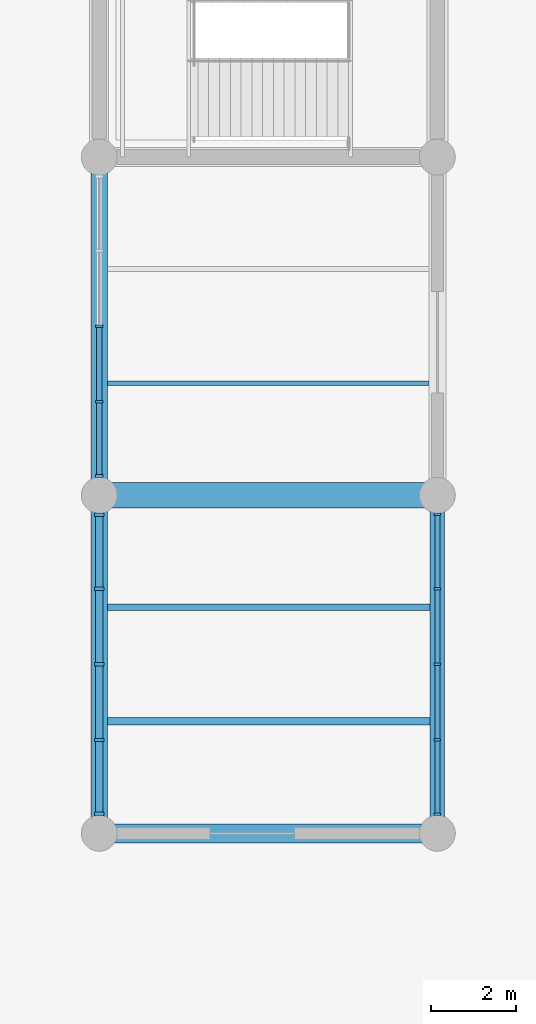
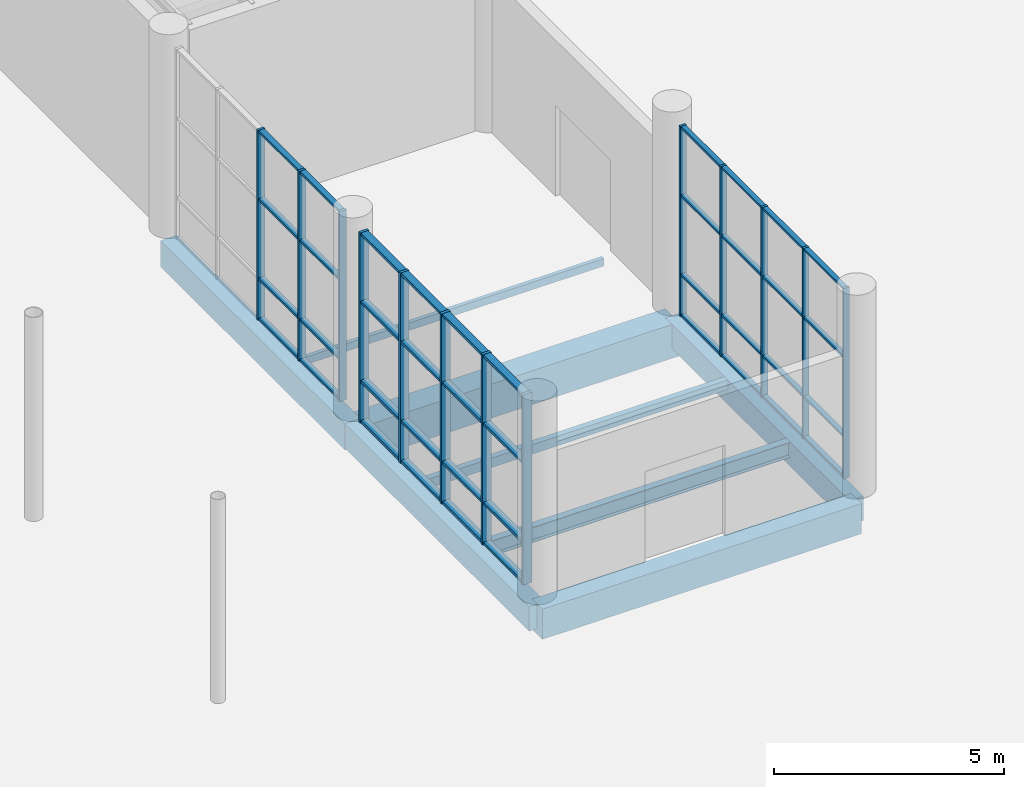
# One storey, part 28 of 123: 53 members, 8 beams, 3 elements without a shape of their own.
"""IFC4 building model written with IfcOpenShell, lengths in metres."""

from ifc_helpers import new_model, si_unit, direction, frame, origin, origin_2d, place, context, subcontext, project, spatial, rectangle, hollow_rectangle, i_section, extrude, material, material_profile, profile_set, type_object, element, aggregate, save


model = new_model("IFC4")

# Units and contexts
model_context = context("Model", 3, precision=1e-05, world=origin(), true_north=direction((0.0, 1.0)))
body_context = subcontext(model_context, "Body", "Model", "MODEL_VIEW")
ifc_project = project(units=[si_unit("LENGTHUNIT", "METRE"), si_unit("AREAUNIT", "SQUARE_METRE"), si_unit("VOLUMEUNIT", "CUBIC_METRE"), si_unit("PLANEANGLEUNIT", "RADIAN"), si_unit("MASSUNIT", "GRAM", prefix="KILO")], contexts=[model_context])

# Site, building, storey
site_placement = place(None, origin())
site = spatial("IfcSite", under=ifc_project, at=site_placement, CompositionType="ELEMENT")
building_placement = place(site_placement, origin())
building = spatial("IfcBuilding", under=site, at=building_placement, Name="Tenunan Teduh Sports Hall", CompositionType="ELEMENT")
storey_placement = place(building_placement, origin())
storey = spatial("IfcBuildingStorey", under=building, at=storey_placement, Name="L00", CompositionType="ELEMENT", Elevation=0.0)

# Beams
ifc_material_1 = material(Name="Concrete C40/50", Category="concrete")
ifc_material_profile_1 = material_profile(ifc_material_1, rectangle(XDim=0.35009765625, YDim=0.64990234375, at=origin_2d()), Name="RCB 350x650")
ifc_profile_set_1 = profile_set([ifc_material_profile_1], Name="Concrete C40/50")
beam_type_1 = type_object("IfcBeamType", Name="BM-RC-350x650", PredefinedType="BEAM", material=ifc_profile_set_1)
beam_1_placement = place(storey_placement, frame((78.0, 38.0, -0.60498046875), z_axis=(0.0, 1.0, 0.0), x_axis=(-1.0, 0.0, 0.0)))
element("IfcBeam", 1, at=beam_1_placement, inside=storey, type_object=beam_type_1, Name="BM-B-05-L00-0821", PredefinedType="BEAM", context=body_context, shape_type="SweptSolid", body=[
    extrude(rectangle(XDim=0.35009765625, YDim=0.64990234375, at=origin_2d()), origin(), (0.0, 0.0, 1.0), 8.0),
])
ifc_material_2 = material(Name="Concrete C40/50", Category="concrete")
ifc_material_profile_2 = material_profile(ifc_material_2, rectangle(XDim=0.39990234375, YDim=0.64990234375, at=origin_2d()), Name="RCB 400x650")
ifc_profile_set_2 = profile_set([ifc_material_profile_2], Name="Concrete C40/50")
beam_type_2 = type_object("IfcBeamType", Name="BM-RC-400x650", PredefinedType="BEAM", material=ifc_profile_set_2)
beam_2_placement = place(storey_placement, frame((70.0, 38.0, -0.60498046875), z_axis=(0.0, 1.0, 0.0), x_axis=(-1.0, 0.0, 0.0)))
element("IfcBeam", 2, at=beam_2_placement, inside=storey, type_object=beam_type_2, Name="BM-B-07-L00-0813", PredefinedType="BEAM", context=body_context, shape_type="SweptSolid", body=[
    extrude(rectangle(XDim=0.39990234375, YDim=0.64990234375, at=origin_2d()), origin(), (0.0, 0.0, 1.0), 8.0),
])
ifc_material_3 = material(Name="Concrete C40/50", Category="concrete")
ifc_material_profile_3 = material_profile(ifc_material_3, rectangle(XDim=0.39990234375, YDim=0.699951171875, at=origin_2d()), Name="RCB 400x700")
ifc_profile_set_3 = profile_set([ifc_material_profile_3], Name="Concrete C40/50")
beam_type_3 = type_object("IfcBeamType", Name="BM-RC-400x700", PredefinedType="BEAM", material=ifc_profile_set_3)
beam_3_placement = place(storey_placement, frame((70.0, 46.0, -0.6298828125), z_axis=(0.0, 1.0, 0.0), x_axis=(-1.0, 0.0, 0.0)))
element("IfcBeam", 3, at=beam_3_placement, inside=storey, type_object=beam_type_3, Name="BM-B-08-L00-0814", PredefinedType="BEAM", context=body_context, shape_type="SweptSolid", body=[
    extrude(rectangle(XDim=0.39990234375, YDim=0.699951171875, at=origin_2d()), origin(), (0.0, 0.0, 1.0), 8.0),
])
ifc_material_4 = material(Name="Concrete C40/50", Category="concrete")
ifc_material_profile_4 = material_profile(ifc_material_4, rectangle(XDim=0.449951171875, YDim=0.800048828125, at=origin_2d()), Name="RCB 450x800")
ifc_profile_set_4 = profile_set([ifc_material_profile_4], Name="Concrete C40/50")
beam_type_4 = type_object("IfcBeamType", Name="BM-RC-450x800", PredefinedType="BEAM", material=ifc_profile_set_4)
beam_4_placement = place(storey_placement, frame((70.0, 38.0, -0.679931640625), z_axis=(1.0, 0.0, 0.0), x_axis=(0.0, 1.0, 0.0)))
element("IfcBeam", 4, at=beam_4_placement, inside=storey, type_object=beam_type_4, Name="BM-B-12-L00-0643", PredefinedType="BEAM", context=body_context, shape_type="SweptSolid", body=[
    extrude(rectangle(XDim=0.449951171875, YDim=0.800048828125, at=origin_2d()), origin(), (0.0, 0.0, 1.0), 8.0),
])
ifc_material_5 = material(Name="Concrete C40/50", Category="concrete")
ifc_material_profile_5 = material_profile(ifc_material_5, rectangle(XDim=0.60009765625, YDim=0.89990234375, at=origin_2d()), Name="RCB 600x900")
ifc_profile_set_5 = profile_set([ifc_material_profile_5], Name="Concrete C40/50")
beam_type_5 = type_object("IfcBeamType", Name="BM-RC-600x900", PredefinedType="BEAM", material=ifc_profile_set_5)
beam_5_placement = place(storey_placement, frame((70.0, 46.0, -0.72998046875), z_axis=(1.0, 0.0, 0.0), x_axis=(0.0, 1.0, 0.0)))
element("IfcBeam", 5, at=beam_5_placement, inside=storey, type_object=beam_type_5, Name="BM-B-17-L00-0657", PredefinedType="BEAM", context=body_context, shape_type="SweptSolid", body=[
    extrude(rectangle(XDim=0.60009765625, YDim=0.89990234375, at=origin_2d()), origin(), (0.0, 0.0, 1.0), 8.0),
])

# Curtain wall, members
ifc_material_6 = material(Name="Anodised aluminium", Category="aluminium")
curtain_wall_type = type_object("IfcCurtainWallType", Name="CW-UNIT-1", PredefinedType="NOTDEFINED", material=ifc_material_6)
curtain_wall_1_placement = place(storey_placement, origin())
curtain_wall_1 = element("IfcCurtainWall", 6, at=curtain_wall_1_placement, inside=storey, type_object=curtain_wall_type, Name="CW-CWM-150-L00-155", PredefinedType="NOTDEFINED")
ifc_material_7 = material(Name="Anodised aluminium", Category="aluminium")
ifc_material_profile_6 = material_profile(ifc_material_7, rectangle(XDim=0.06005859375, YDim=0.14990234375, at=origin_2d()), Name="CWM 60x150")
ifc_profile_set_6 = profile_set([ifc_material_profile_6], Name="Anodised aluminium")
member_type_1 = type_object("IfcMemberType", Name="CWM-150", PredefinedType="MULLION", material=ifc_profile_set_6)
member_1_placement = place(storey_placement, frame((78.0, 38.455078125, 0.0), z_axis=(0.0, 0.0, 1.0), x_axis=(0.0, 1.0, 0.0)))
member_1 = element("IfcMember", 7, at=member_1_placement, type_object=member_type_1, Name="CW-01 mullion 1", PredefinedType="MULLION", context=body_context, shape_type="SweptSolid", body=[
    extrude(rectangle(XDim=0.06005859375, YDim=0.14990234375, at=origin_2d()), origin(), (0.0, 0.0, 1.0), 5.0400390625),
])
member_2_placement = place(storey_placement, frame((78.0, 40.21240234375, 0.0), z_axis=(0.0, 0.0, 1.0), x_axis=(0.0, 1.0, 0.0)))
member_2 = element("IfcMember", 8, at=member_2_placement, type_object=member_type_1, Name="CW-01 mullion 2", PredefinedType="MULLION", context=body_context, shape_type="SweptSolid", body=[
    extrude(rectangle(XDim=0.06005859375, YDim=0.14990234375, at=origin_2d()), origin(), (0.0, 0.0, 1.0), 5.0400390625),
])
member_3_placement = place(storey_placement, frame((78.0, 42.0, 0.0), z_axis=(0.0, 0.0, 1.0), x_axis=(0.0, 1.0, 0.0)))
member_3 = element("IfcMember", 9, at=member_3_placement, type_object=member_type_1, Name="CW-01 mullion 3", PredefinedType="MULLION", context=body_context, shape_type="SweptSolid", body=[
    extrude(rectangle(XDim=0.06005859375, YDim=0.14990234375, at=origin_2d()), origin(), (0.0, 0.0, 1.0), 5.0400390625),
])
member_4_placement = place(storey_placement, frame((78.0, 43.78759765625, 0.0), z_axis=(0.0, 0.0, 1.0), x_axis=(0.0, 1.0, 0.0)))
member_4 = element("IfcMember", 10, at=member_4_placement, type_object=member_type_1, Name="CW-01 mullion 4", PredefinedType="MULLION", context=body_context, shape_type="SweptSolid", body=[
    extrude(rectangle(XDim=0.06005859375, YDim=0.14990234375, at=origin_2d()), origin(), (0.0, 0.0, 1.0), 5.0400390625),
])
member_5_placement = place(storey_placement, frame((78.0, 45.544921875, 0.0), z_axis=(0.0, 0.0, 1.0), x_axis=(0.0, 1.0, 0.0)))
member_5 = element("IfcMember", 11, at=member_5_placement, type_object=member_type_1, Name="CW-01 mullion 5", PredefinedType="MULLION", context=body_context, shape_type="SweptSolid", body=[
    extrude(rectangle(XDim=0.06005859375, YDim=0.14990234375, at=origin_2d()), origin(), (0.0, 0.0, 1.0), 5.0400390625),
])

curtain_wall_2_placement = place(storey_placement, origin())
curtain_wall_2 = element("IfcCurtainWall", 12, at=curtain_wall_2_placement, inside=storey, type_object=curtain_wall_type, Name="CW-CWM-175-L00-154", PredefinedType="NOTDEFINED")
ifc_material_8 = material(Name="Anodised aluminium", Category="aluminium")
ifc_material_profile_7 = material_profile(ifc_material_8, rectangle(XDim=0.06494140625, YDim=0.175048828125, at=origin_2d()), Name="CWM 65x175")
ifc_profile_set_7 = profile_set([ifc_material_profile_7], Name="Anodised aluminium")
member_type_2 = type_object("IfcMemberType", Name="CWM-175", PredefinedType="MULLION", material=ifc_profile_set_7)
member_6_placement = place(storey_placement, frame((70.0, 46.45751953125, 0.0), z_axis=(0.0, 0.0, 1.0), x_axis=(0.0, 1.0, 0.0)))
member_6 = element("IfcMember", 13, at=member_6_placement, type_object=member_type_2, Name="CW-01 mullion 1", PredefinedType="MULLION", context=body_context, shape_type="SweptSolid", body=[
    extrude(rectangle(XDim=0.06494140625, YDim=0.175048828125, at=origin_2d()), origin(), (0.0, 0.0, 1.0), 5.0400390625),
])
member_7_placement = place(storey_placement, frame((70.0, 48.21240234375, 0.0), z_axis=(0.0, 0.0, 1.0), x_axis=(0.0, 1.0, 0.0)))
member_7 = element("IfcMember", 14, at=member_7_placement, type_object=member_type_2, Name="CW-01 mullion 2", PredefinedType="MULLION", context=body_context, shape_type="SweptSolid", body=[
    extrude(rectangle(XDim=0.06494140625, YDim=0.175048828125, at=origin_2d()), origin(), (0.0, 0.0, 1.0), 5.0400390625),
])
member_8_placement = place(storey_placement, frame((70.0, 50.0, 0.0), z_axis=(0.0, 0.0, 1.0), x_axis=(0.0, 1.0, 0.0)))
member_8 = element("IfcMember", 15, at=member_8_placement, type_object=member_type_2, Name="CW-01 mullion 3", PredefinedType="MULLION", context=body_context, shape_type="SweptSolid", body=[
    extrude(rectangle(XDim=0.06494140625, YDim=0.175048828125, at=origin_2d()), origin(), (0.0, 0.0, 1.0), 5.0400390625),
])

curtain_wall_3_placement = place(storey_placement, origin())
curtain_wall_3 = element("IfcCurtainWall", 16, at=curtain_wall_3_placement, inside=storey, type_object=curtain_wall_type, Name="CW-CWM-220-L00-153", PredefinedType="NOTDEFINED")
ifc_material_9 = material(Name="Anodised aluminium", Category="aluminium")
ifc_material_profile_8 = material_profile(ifc_material_9, rectangle(XDim=0.074951171875, YDim=0.219970703125, at=origin_2d()), Name="CWM 75x220")
ifc_profile_set_8 = profile_set([ifc_material_profile_8], Name="Anodised aluminium")
member_type_3 = type_object("IfcMemberType", Name="CWM-220", PredefinedType="MULLION", material=ifc_profile_set_8)
member_9_placement = place(storey_placement, frame((70.0, 38.46240234375, 0.0), z_axis=(0.0, 0.0, 1.0), x_axis=(0.0, 1.0, 0.0)))
member_9 = element("IfcMember", 17, at=member_9_placement, type_object=member_type_3, Name="CW-01 mullion 1", PredefinedType="MULLION", context=body_context, shape_type="SweptSolid", body=[
    extrude(rectangle(XDim=0.074951171875, YDim=0.219970703125, at=origin_2d()), origin(), (0.0, 0.0, 1.0), 5.0400390625),
])
member_10_placement = place(storey_placement, frame((70.0, 40.21240234375, 0.0), z_axis=(0.0, 0.0, 1.0), x_axis=(0.0, 1.0, 0.0)))
member_10 = element("IfcMember", 18, at=member_10_placement, type_object=member_type_3, Name="CW-01 mullion 2", PredefinedType="MULLION", context=body_context, shape_type="SweptSolid", body=[
    extrude(rectangle(XDim=0.074951171875, YDim=0.219970703125, at=origin_2d()), origin(), (0.0, 0.0, 1.0), 5.0400390625),
])
member_11_placement = place(storey_placement, frame((70.0, 42.0, 0.0), z_axis=(0.0, 0.0, 1.0), x_axis=(0.0, 1.0, 0.0)))
member_11 = element("IfcMember", 19, at=member_11_placement, type_object=member_type_3, Name="CW-01 mullion 3", PredefinedType="MULLION", context=body_context, shape_type="SweptSolid", body=[
    extrude(rectangle(XDim=0.074951171875, YDim=0.219970703125, at=origin_2d()), origin(), (0.0, 0.0, 1.0), 5.0400390625),
])
member_12_placement = place(storey_placement, frame((70.0, 43.78759765625, 0.0), z_axis=(0.0, 0.0, 1.0), x_axis=(0.0, 1.0, 0.0)))
member_12 = element("IfcMember", 20, at=member_12_placement, type_object=member_type_3, Name="CW-01 mullion 4", PredefinedType="MULLION", context=body_context, shape_type="SweptSolid", body=[
    extrude(rectangle(XDim=0.074951171875, YDim=0.219970703125, at=origin_2d()), origin(), (0.0, 0.0, 1.0), 5.0400390625),
])
member_13_placement = place(storey_placement, frame((70.0, 45.53759765625, 0.0), z_axis=(0.0, 0.0, 1.0), x_axis=(0.0, 1.0, 0.0)))
member_13 = element("IfcMember", 21, at=member_13_placement, type_object=member_type_3, Name="CW-01 mullion 5", PredefinedType="MULLION", context=body_context, shape_type="SweptSolid", body=[
    extrude(rectangle(XDim=0.074951171875, YDim=0.219970703125, at=origin_2d()), origin(), (0.0, 0.0, 1.0), 5.0400390625),
])

# Member
ifc_material_10 = material(Name="Anodised aluminium", Category="aluminium")
ifc_material_profile_9 = material_profile(ifc_material_10, rectangle(XDim=0.06005859375, YDim=0.1201171875, at=origin_2d()), Name="CWT 60x120")
ifc_profile_set_9 = profile_set([ifc_material_profile_9], Name="Anodised aluminium")
member_type_4 = type_object("IfcMemberType", Name="CWT-125", PredefinedType="USERDEFINED", material=ifc_profile_set_9)
member_14_placement = place(storey_placement, frame((78.0, 38.485107421875, 0.030029296875), z_axis=(0.0, 1.0, 0.0), x_axis=(0.0, 0.0, 1.0)))
member_14 = element("IfcMember", 22, at=member_14_placement, type_object=member_type_4, Name="CW-01 transom 1.1", ObjectType="TRANSOM", PredefinedType="USERDEFINED", context=body_context, shape_type="SweptSolid", body=[
    extrude(rectangle(XDim=0.06005859375, YDim=0.1201171875, at=origin_2d()), origin(), (0.0, 0.0, 1.0), 1.697509765625),
])

member_15_placement = place(storey_placement, frame((78.0, 38.485107421875, 1.10009765625), z_axis=(0.0, 1.0, 0.0), x_axis=(0.0, 0.0, 1.0)))
member_15 = element("IfcMember", 23, at=member_15_placement, type_object=member_type_4, Name="CW-01 transom 1.2", ObjectType="TRANSOM", PredefinedType="USERDEFINED", context=body_context, shape_type="SweptSolid", body=[
    extrude(rectangle(XDim=0.06005859375, YDim=0.1201171875, at=origin_2d()), origin(), (0.0, 0.0, 1.0), 1.697509765625),
])

member_16_placement = place(storey_placement, frame((78.0, 38.485107421875, 3.199951171875), z_axis=(0.0, 1.0, 0.0), x_axis=(0.0, 0.0, 1.0)))
member_16 = element("IfcMember", 24, at=member_16_placement, type_object=member_type_4, Name="CW-01 transom 1.3", ObjectType="TRANSOM", PredefinedType="USERDEFINED", context=body_context, shape_type="SweptSolid", body=[
    extrude(rectangle(XDim=0.06005859375, YDim=0.1201171875, at=origin_2d()), origin(), (0.0, 0.0, 1.0), 1.697509765625),
])

member_17_placement = place(storey_placement, frame((78.0, 38.485107421875, 5.010009765625), z_axis=(0.0, 1.0, 0.0), x_axis=(0.0, 0.0, 1.0)))
member_17 = element("IfcMember", 25, at=member_17_placement, type_object=member_type_4, Name="CW-01 transom 1.4", ObjectType="TRANSOM", PredefinedType="USERDEFINED", context=body_context, shape_type="SweptSolid", body=[
    extrude(rectangle(XDim=0.06005859375, YDim=0.1201171875, at=origin_2d()), origin(), (0.0, 0.0, 1.0), 1.697509765625),
])

member_18_placement = place(storey_placement, frame((78.0, 40.242431640625, 0.030029296875), z_axis=(0.0, 1.0, 0.0), x_axis=(0.0, 0.0, 1.0)))
member_18 = element("IfcMember", 26, at=member_18_placement, type_object=member_type_4, Name="CW-01 transom 2.1", ObjectType="TRANSOM", PredefinedType="USERDEFINED", context=body_context, shape_type="SweptSolid", body=[
    extrude(rectangle(XDim=0.06005859375, YDim=0.1201171875, at=origin_2d()), origin(), (0.0, 0.0, 1.0), 1.7275390625),
])

member_19_placement = place(storey_placement, frame((78.0, 40.242431640625, 1.10009765625), z_axis=(0.0, 1.0, 0.0), x_axis=(0.0, 0.0, 1.0)))
member_19 = element("IfcMember", 27, at=member_19_placement, type_object=member_type_4, Name="CW-01 transom 2.2", ObjectType="TRANSOM", PredefinedType="USERDEFINED", context=body_context, shape_type="SweptSolid", body=[
    extrude(rectangle(XDim=0.06005859375, YDim=0.1201171875, at=origin_2d()), origin(), (0.0, 0.0, 1.0), 1.7275390625),
])

member_20_placement = place(storey_placement, frame((78.0, 40.242431640625, 3.199951171875), z_axis=(0.0, 1.0, 0.0), x_axis=(0.0, 0.0, 1.0)))
member_20 = element("IfcMember", 28, at=member_20_placement, type_object=member_type_4, Name="CW-01 transom 2.3", ObjectType="TRANSOM", PredefinedType="USERDEFINED", context=body_context, shape_type="SweptSolid", body=[
    extrude(rectangle(XDim=0.06005859375, YDim=0.1201171875, at=origin_2d()), origin(), (0.0, 0.0, 1.0), 1.7275390625),
])

member_21_placement = place(storey_placement, frame((78.0, 40.242431640625, 5.010009765625), z_axis=(0.0, 1.0, 0.0), x_axis=(0.0, 0.0, 1.0)))
member_21 = element("IfcMember", 29, at=member_21_placement, type_object=member_type_4, Name="CW-01 transom 2.4", ObjectType="TRANSOM", PredefinedType="USERDEFINED", context=body_context, shape_type="SweptSolid", body=[
    extrude(rectangle(XDim=0.06005859375, YDim=0.1201171875, at=origin_2d()), origin(), (0.0, 0.0, 1.0), 1.7275390625),
])

member_22_placement = place(storey_placement, frame((78.0, 42.030029296875, 0.030029296875), z_axis=(0.0, 1.0, 0.0), x_axis=(0.0, 0.0, 1.0)))
member_22 = element("IfcMember", 30, at=member_22_placement, type_object=member_type_4, Name="CW-01 transom 3.1", ObjectType="TRANSOM", PredefinedType="USERDEFINED", context=body_context, shape_type="SweptSolid", body=[
    extrude(rectangle(XDim=0.06005859375, YDim=0.1201171875, at=origin_2d()), origin(), (0.0, 0.0, 1.0), 1.7275390625),
])

member_23_placement = place(storey_placement, frame((78.0, 42.030029296875, 1.10009765625), z_axis=(0.0, 1.0, 0.0), x_axis=(0.0, 0.0, 1.0)))
member_23 = element("IfcMember", 31, at=member_23_placement, type_object=member_type_4, Name="CW-01 transom 3.2", ObjectType="TRANSOM", PredefinedType="USERDEFINED", context=body_context, shape_type="SweptSolid", body=[
    extrude(rectangle(XDim=0.06005859375, YDim=0.1201171875, at=origin_2d()), origin(), (0.0, 0.0, 1.0), 1.7275390625),
])

member_24_placement = place(storey_placement, frame((78.0, 42.030029296875, 3.199951171875), z_axis=(0.0, 1.0, 0.0), x_axis=(0.0, 0.0, 1.0)))
member_24 = element("IfcMember", 32, at=member_24_placement, type_object=member_type_4, Name="CW-01 transom 3.3", ObjectType="TRANSOM", PredefinedType="USERDEFINED", context=body_context, shape_type="SweptSolid", body=[
    extrude(rectangle(XDim=0.06005859375, YDim=0.1201171875, at=origin_2d()), origin(), (0.0, 0.0, 1.0), 1.7275390625),
])

member_25_placement = place(storey_placement, frame((78.0, 42.030029296875, 5.010009765625), z_axis=(0.0, 1.0, 0.0), x_axis=(0.0, 0.0, 1.0)))
member_25 = element("IfcMember", 33, at=member_25_placement, type_object=member_type_4, Name="CW-01 transom 3.4", ObjectType="TRANSOM", PredefinedType="USERDEFINED", context=body_context, shape_type="SweptSolid", body=[
    extrude(rectangle(XDim=0.06005859375, YDim=0.1201171875, at=origin_2d()), origin(), (0.0, 0.0, 1.0), 1.7275390625),
])

member_26_placement = place(storey_placement, frame((78.0, 43.8173828125, 0.030029296875), z_axis=(0.0, 1.0, 0.0), x_axis=(0.0, 0.0, 1.0)))
member_26 = element("IfcMember", 34, at=member_26_placement, type_object=member_type_4, Name="CW-01 transom 4.1", ObjectType="TRANSOM", PredefinedType="USERDEFINED", context=body_context, shape_type="SweptSolid", body=[
    extrude(rectangle(XDim=0.06005859375, YDim=0.1201171875, at=origin_2d()), origin(), (0.0, 0.0, 1.0), 1.697509765625),
])

member_27_placement = place(storey_placement, frame((78.0, 43.8173828125, 1.10009765625), z_axis=(0.0, 1.0, 0.0), x_axis=(0.0, 0.0, 1.0)))
member_27 = element("IfcMember", 35, at=member_27_placement, type_object=member_type_4, Name="CW-01 transom 4.2", ObjectType="TRANSOM", PredefinedType="USERDEFINED", context=body_context, shape_type="SweptSolid", body=[
    extrude(rectangle(XDim=0.06005859375, YDim=0.1201171875, at=origin_2d()), origin(), (0.0, 0.0, 1.0), 1.697509765625),
])

member_28_placement = place(storey_placement, frame((78.0, 43.8173828125, 3.199951171875), z_axis=(0.0, 1.0, 0.0), x_axis=(0.0, 0.0, 1.0)))
member_28 = element("IfcMember", 36, at=member_28_placement, type_object=member_type_4, Name="CW-01 transom 4.3", ObjectType="TRANSOM", PredefinedType="USERDEFINED", context=body_context, shape_type="SweptSolid", body=[
    extrude(rectangle(XDim=0.06005859375, YDim=0.1201171875, at=origin_2d()), origin(), (0.0, 0.0, 1.0), 1.697509765625),
])

member_29_placement = place(storey_placement, frame((78.0, 43.8173828125, 5.010009765625), z_axis=(0.0, 1.0, 0.0), x_axis=(0.0, 0.0, 1.0)))
member_29 = element("IfcMember", 37, at=member_29_placement, type_object=member_type_4, Name="CW-01 transom 4.4", ObjectType="TRANSOM", PredefinedType="USERDEFINED", context=body_context, shape_type="SweptSolid", body=[
    extrude(rectangle(XDim=0.06005859375, YDim=0.1201171875, at=origin_2d()), origin(), (0.0, 0.0, 1.0), 1.697509765625),
])

aggregate(curtain_wall_1, [member_1, member_2, member_3, member_4, member_5, member_14, member_15, member_16, member_17, member_18, member_19, member_20, member_21, member_22, member_23, member_24, member_25, member_26, member_27, member_28, member_29])

ifc_material_11 = material(Name="Anodised aluminium", Category="aluminium")
ifc_material_profile_10 = material_profile(ifc_material_11, rectangle(XDim=0.06494140625, YDim=0.139892578125, at=origin_2d()), Name="CWT 65x140")
ifc_profile_set_10 = profile_set([ifc_material_profile_10], Name="Anodised aluminium")
member_type_5 = type_object("IfcMemberType", Name="CWT-150", PredefinedType="USERDEFINED", material=ifc_profile_set_10)
member_30_placement = place(storey_placement, frame((70.0, 46.489990234375, 0.032470703125), z_axis=(0.0, 1.0, 0.0), x_axis=(0.0, 0.0, 1.0)))
member_30 = element("IfcMember", 38, at=member_30_placement, type_object=member_type_5, Name="CW-01 transom 1.1", ObjectType="TRANSOM", PredefinedType="USERDEFINED", context=body_context, shape_type="SweptSolid", body=[
    extrude(rectangle(XDim=0.06494140625, YDim=0.139892578125, at=origin_2d()), origin(), (0.0, 0.0, 1.0), 1.68994140625),
])

member_31_placement = place(storey_placement, frame((70.0, 46.489990234375, 1.10009765625), z_axis=(0.0, 1.0, 0.0), x_axis=(0.0, 0.0, 1.0)))
member_31 = element("IfcMember", 39, at=member_31_placement, type_object=member_type_5, Name="CW-01 transom 1.2", ObjectType="TRANSOM", PredefinedType="USERDEFINED", context=body_context, shape_type="SweptSolid", body=[
    extrude(rectangle(XDim=0.06494140625, YDim=0.139892578125, at=origin_2d()), origin(), (0.0, 0.0, 1.0), 1.68994140625),
])

member_32_placement = place(storey_placement, frame((70.0, 46.489990234375, 3.199951171875), z_axis=(0.0, 1.0, 0.0), x_axis=(0.0, 0.0, 1.0)))
member_32 = element("IfcMember", 40, at=member_32_placement, type_object=member_type_5, Name="CW-01 transom 1.3", ObjectType="TRANSOM", PredefinedType="USERDEFINED", context=body_context, shape_type="SweptSolid", body=[
    extrude(rectangle(XDim=0.06494140625, YDim=0.139892578125, at=origin_2d()), origin(), (0.0, 0.0, 1.0), 1.68994140625),
])

member_33_placement = place(storey_placement, frame((70.0, 46.489990234375, 5.007568359375), z_axis=(0.0, 1.0, 0.0), x_axis=(0.0, 0.0, 1.0)))
member_33 = element("IfcMember", 41, at=member_33_placement, type_object=member_type_5, Name="CW-01 transom 1.4", ObjectType="TRANSOM", PredefinedType="USERDEFINED", context=body_context, shape_type="SweptSolid", body=[
    extrude(rectangle(XDim=0.06494140625, YDim=0.139892578125, at=origin_2d()), origin(), (0.0, 0.0, 1.0), 1.68994140625),
])

member_34_placement = place(storey_placement, frame((70.0, 48.2451171875, 0.032470703125), z_axis=(0.0, 1.0, 0.0), x_axis=(0.0, 0.0, 1.0)))
member_34 = element("IfcMember", 42, at=member_34_placement, type_object=member_type_5, Name="CW-01 transom 2.1", ObjectType="TRANSOM", PredefinedType="USERDEFINED", context=body_context, shape_type="SweptSolid", body=[
    extrude(rectangle(XDim=0.06494140625, YDim=0.139892578125, at=origin_2d()), origin(), (0.0, 0.0, 1.0), 1.722412109375),
])

member_35_placement = place(storey_placement, frame((70.0, 48.2451171875, 1.10009765625), z_axis=(0.0, 1.0, 0.0), x_axis=(0.0, 0.0, 1.0)))
member_35 = element("IfcMember", 43, at=member_35_placement, type_object=member_type_5, Name="CW-01 transom 2.2", ObjectType="TRANSOM", PredefinedType="USERDEFINED", context=body_context, shape_type="SweptSolid", body=[
    extrude(rectangle(XDim=0.06494140625, YDim=0.139892578125, at=origin_2d()), origin(), (0.0, 0.0, 1.0), 1.722412109375),
])

member_36_placement = place(storey_placement, frame((70.0, 48.2451171875, 3.199951171875), z_axis=(0.0, 1.0, 0.0), x_axis=(0.0, 0.0, 1.0)))
member_36 = element("IfcMember", 44, at=member_36_placement, type_object=member_type_5, Name="CW-01 transom 2.3", ObjectType="TRANSOM", PredefinedType="USERDEFINED", context=body_context, shape_type="SweptSolid", body=[
    extrude(rectangle(XDim=0.06494140625, YDim=0.139892578125, at=origin_2d()), origin(), (0.0, 0.0, 1.0), 1.722412109375),
])

member_37_placement = place(storey_placement, frame((70.0, 48.2451171875, 5.007568359375), z_axis=(0.0, 1.0, 0.0), x_axis=(0.0, 0.0, 1.0)))
member_37 = element("IfcMember", 45, at=member_37_placement, type_object=member_type_5, Name="CW-01 transom 2.4", ObjectType="TRANSOM", PredefinedType="USERDEFINED", context=body_context, shape_type="SweptSolid", body=[
    extrude(rectangle(XDim=0.06494140625, YDim=0.139892578125, at=origin_2d()), origin(), (0.0, 0.0, 1.0), 1.722412109375),
])

aggregate(curtain_wall_2, [member_6, member_7, member_8, member_30, member_31, member_32, member_33, member_34, member_35, member_36, member_37])

ifc_material_12 = material(Name="Anodised aluminium", Category="aluminium")
ifc_material_profile_11 = material_profile(ifc_material_12, rectangle(XDim=0.074951171875, YDim=0.179931640625, at=origin_2d()), Name="CWT 75x180")
ifc_profile_set_11 = profile_set([ifc_material_profile_11], Name="Anodised aluminium")
member_type_6 = type_object("IfcMemberType", Name="CWT-180", PredefinedType="USERDEFINED", material=ifc_profile_set_11)
member_38_placement = place(storey_placement, frame((70.0, 38.5, 0.03759765625), z_axis=(0.0, 1.0, 0.0), x_axis=(0.0, 0.0, 1.0)))
member_38 = element("IfcMember", 46, at=member_38_placement, type_object=member_type_6, Name="CW-01 transom 1.1", ObjectType="TRANSOM", PredefinedType="USERDEFINED", context=body_context, shape_type="SweptSolid", body=[
    extrude(rectangle(XDim=0.074951171875, YDim=0.179931640625, at=origin_2d()), origin(), (0.0, 0.0, 1.0), 1.675048828125),
])

member_39_placement = place(storey_placement, frame((70.0, 38.5, 1.10009765625), z_axis=(0.0, 1.0, 0.0), x_axis=(0.0, 0.0, 1.0)))
member_39 = element("IfcMember", 47, at=member_39_placement, type_object=member_type_6, Name="CW-01 transom 1.2", ObjectType="TRANSOM", PredefinedType="USERDEFINED", context=body_context, shape_type="SweptSolid", body=[
    extrude(rectangle(XDim=0.074951171875, YDim=0.179931640625, at=origin_2d()), origin(), (0.0, 0.0, 1.0), 1.675048828125),
])

member_40_placement = place(storey_placement, frame((70.0, 38.5, 3.199951171875), z_axis=(0.0, 1.0, 0.0), x_axis=(0.0, 0.0, 1.0)))
member_40 = element("IfcMember", 48, at=member_40_placement, type_object=member_type_6, Name="CW-01 transom 1.3", ObjectType="TRANSOM", PredefinedType="USERDEFINED", context=body_context, shape_type="SweptSolid", body=[
    extrude(rectangle(XDim=0.074951171875, YDim=0.179931640625, at=origin_2d()), origin(), (0.0, 0.0, 1.0), 1.675048828125),
])

member_41_placement = place(storey_placement, frame((70.0, 38.5, 5.00244140625), z_axis=(0.0, 1.0, 0.0), x_axis=(0.0, 0.0, 1.0)))
member_41 = element("IfcMember", 49, at=member_41_placement, type_object=member_type_6, Name="CW-01 transom 1.4", ObjectType="TRANSOM", PredefinedType="USERDEFINED", context=body_context, shape_type="SweptSolid", body=[
    extrude(rectangle(XDim=0.074951171875, YDim=0.179931640625, at=origin_2d()), origin(), (0.0, 0.0, 1.0), 1.675048828125),
])

member_42_placement = place(storey_placement, frame((70.0, 40.25, 0.03759765625), z_axis=(0.0, 1.0, 0.0), x_axis=(0.0, 0.0, 1.0)))
member_42 = element("IfcMember", 50, at=member_42_placement, type_object=member_type_6, Name="CW-01 transom 2.1", ObjectType="TRANSOM", PredefinedType="USERDEFINED", context=body_context, shape_type="SweptSolid", body=[
    extrude(rectangle(XDim=0.074951171875, YDim=0.179931640625, at=origin_2d()), origin(), (0.0, 0.0, 1.0), 1.71240234375),
])

member_43_placement = place(storey_placement, frame((70.0, 40.25, 1.10009765625), z_axis=(0.0, 1.0, 0.0), x_axis=(0.0, 0.0, 1.0)))
member_43 = element("IfcMember", 51, at=member_43_placement, type_object=member_type_6, Name="CW-01 transom 2.2", ObjectType="TRANSOM", PredefinedType="USERDEFINED", context=body_context, shape_type="SweptSolid", body=[
    extrude(rectangle(XDim=0.074951171875, YDim=0.179931640625, at=origin_2d()), origin(), (0.0, 0.0, 1.0), 1.71240234375),
])

member_44_placement = place(storey_placement, frame((70.0, 40.25, 3.199951171875), z_axis=(0.0, 1.0, 0.0), x_axis=(0.0, 0.0, 1.0)))
member_44 = element("IfcMember", 52, at=member_44_placement, type_object=member_type_6, Name="CW-01 transom 2.3", ObjectType="TRANSOM", PredefinedType="USERDEFINED", context=body_context, shape_type="SweptSolid", body=[
    extrude(rectangle(XDim=0.074951171875, YDim=0.179931640625, at=origin_2d()), origin(), (0.0, 0.0, 1.0), 1.71240234375),
])

member_45_placement = place(storey_placement, frame((70.0, 40.25, 5.00244140625), z_axis=(0.0, 1.0, 0.0), x_axis=(0.0, 0.0, 1.0)))
member_45 = element("IfcMember", 53, at=member_45_placement, type_object=member_type_6, Name="CW-01 transom 2.4", ObjectType="TRANSOM", PredefinedType="USERDEFINED", context=body_context, shape_type="SweptSolid", body=[
    extrude(rectangle(XDim=0.074951171875, YDim=0.179931640625, at=origin_2d()), origin(), (0.0, 0.0, 1.0), 1.71240234375),
])

member_46_placement = place(storey_placement, frame((70.0, 42.03759765625, 0.03759765625), z_axis=(0.0, 1.0, 0.0), x_axis=(0.0, 0.0, 1.0)))
member_46 = element("IfcMember", 54, at=member_46_placement, type_object=member_type_6, Name="CW-01 transom 3.1", ObjectType="TRANSOM", PredefinedType="USERDEFINED", context=body_context, shape_type="SweptSolid", body=[
    extrude(rectangle(XDim=0.074951171875, YDim=0.179931640625, at=origin_2d()), origin(), (0.0, 0.0, 1.0), 1.71240234375),
])

member_47_placement = place(storey_placement, frame((70.0, 42.03759765625, 1.10009765625), z_axis=(0.0, 1.0, 0.0), x_axis=(0.0, 0.0, 1.0)))
member_47 = element("IfcMember", 55, at=member_47_placement, type_object=member_type_6, Name="CW-01 transom 3.2", ObjectType="TRANSOM", PredefinedType="USERDEFINED", context=body_context, shape_type="SweptSolid", body=[
    extrude(rectangle(XDim=0.074951171875, YDim=0.179931640625, at=origin_2d()), origin(), (0.0, 0.0, 1.0), 1.71240234375),
])

member_48_placement = place(storey_placement, frame((70.0, 42.03759765625, 3.199951171875), z_axis=(0.0, 1.0, 0.0), x_axis=(0.0, 0.0, 1.0)))
member_48 = element("IfcMember", 56, at=member_48_placement, type_object=member_type_6, Name="CW-01 transom 3.3", ObjectType="TRANSOM", PredefinedType="USERDEFINED", context=body_context, shape_type="SweptSolid", body=[
    extrude(rectangle(XDim=0.074951171875, YDim=0.179931640625, at=origin_2d()), origin(), (0.0, 0.0, 1.0), 1.71240234375),
])

member_49_placement = place(storey_placement, frame((70.0, 42.03759765625, 5.00244140625), z_axis=(0.0, 1.0, 0.0), x_axis=(0.0, 0.0, 1.0)))
member_49 = element("IfcMember", 57, at=member_49_placement, type_object=member_type_6, Name="CW-01 transom 3.4", ObjectType="TRANSOM", PredefinedType="USERDEFINED", context=body_context, shape_type="SweptSolid", body=[
    extrude(rectangle(XDim=0.074951171875, YDim=0.179931640625, at=origin_2d()), origin(), (0.0, 0.0, 1.0), 1.71240234375),
])

member_50_placement = place(storey_placement, frame((70.0, 43.824951171875, 0.03759765625), z_axis=(0.0, 1.0, 0.0), x_axis=(0.0, 0.0, 1.0)))
member_50 = element("IfcMember", 58, at=member_50_placement, type_object=member_type_6, Name="CW-01 transom 4.1", ObjectType="TRANSOM", PredefinedType="USERDEFINED", context=body_context, shape_type="SweptSolid", body=[
    extrude(rectangle(XDim=0.074951171875, YDim=0.179931640625, at=origin_2d()), origin(), (0.0, 0.0, 1.0), 1.675048828125),
])

member_51_placement = place(storey_placement, frame((70.0, 43.824951171875, 1.10009765625), z_axis=(0.0, 1.0, 0.0), x_axis=(0.0, 0.0, 1.0)))
member_51 = element("IfcMember", 59, at=member_51_placement, type_object=member_type_6, Name="CW-01 transom 4.2", ObjectType="TRANSOM", PredefinedType="USERDEFINED", context=body_context, shape_type="SweptSolid", body=[
    extrude(rectangle(XDim=0.074951171875, YDim=0.179931640625, at=origin_2d()), origin(), (0.0, 0.0, 1.0), 1.675048828125),
])

member_52_placement = place(storey_placement, frame((70.0, 43.824951171875, 3.199951171875), z_axis=(0.0, 1.0, 0.0), x_axis=(0.0, 0.0, 1.0)))
member_52 = element("IfcMember", 60, at=member_52_placement, type_object=member_type_6, Name="CW-01 transom 4.3", ObjectType="TRANSOM", PredefinedType="USERDEFINED", context=body_context, shape_type="SweptSolid", body=[
    extrude(rectangle(XDim=0.074951171875, YDim=0.179931640625, at=origin_2d()), origin(), (0.0, 0.0, 1.0), 1.675048828125),
])

member_53_placement = place(storey_placement, frame((70.0, 43.824951171875, 5.00244140625), z_axis=(0.0, 1.0, 0.0), x_axis=(0.0, 0.0, 1.0)))
member_53 = element("IfcMember", 61, at=member_53_placement, type_object=member_type_6, Name="CW-01 transom 4.4", ObjectType="TRANSOM", PredefinedType="USERDEFINED", context=body_context, shape_type="SweptSolid", body=[
    extrude(rectangle(XDim=0.074951171875, YDim=0.179931640625, at=origin_2d()), origin(), (0.0, 0.0, 1.0), 1.675048828125),
])

aggregate(curtain_wall_3, [member_9, member_10, member_11, member_12, member_13, member_38, member_39, member_40, member_41, member_42, member_43, member_44, member_45, member_46, member_47, member_48, member_49, member_50, member_51, member_52, member_53])

# Beams
ifc_material_13 = material(Name="Steel S355", Category="steel")
ifc_material_profile_12 = material_profile(ifc_material_13, hollow_rectangle(XDim=0.10009765625, YDim=0.199951171875, WallThickness=0.008056640625, at=origin_2d()), Name="RHS 200x100x8.0")
ifc_profile_set_12 = profile_set([ifc_material_profile_12], Name="Steel S355")
beam_type_6 = type_object("IfcBeamType", Name="RBM-RHS200", PredefinedType="JOIST", material=ifc_profile_set_12)
beam_6_placement = place(storey_placement, frame((70.199951171875, 48.64990234375, -0.3798828125), z_axis=(1.0, 0.0, 0.0), x_axis=(0.0, 1.0, 0.0)))
element("IfcBeam", 62, at=beam_6_placement, inside=storey, type_object=beam_type_6, Name="Perimeter Ring Beam BM-RB-05-L00-0968", PredefinedType="JOIST", context=body_context, shape_type="SweptSolid", body=[
    extrude(hollow_rectangle(XDim=0.10009765625, YDim=0.199951171875, WallThickness=0.008056640625, at=origin_2d()), origin(), (0.0, 0.0, 1.0), 7.60009765625),
])
ifc_material_14 = material(Name="Steel S355", Category="steel")
ifc_material_profile_13 = material_profile(ifc_material_14, hollow_rectangle(XDim=0.14990234375, YDim=0.25, WallThickness=0.010009765625, at=origin_2d()), Name="RHS 250x150x10.0")
ifc_profile_set_13 = profile_set([ifc_material_profile_13], Name="Steel S355")
beam_type_7 = type_object("IfcBeamType", Name="RBM-RHS250", PredefinedType="BEAM", material=ifc_profile_set_13)
beam_7_placement = place(storey_placement, frame((70.199951171875, 43.35009765625, -0.405029296875), z_axis=(1.0, 0.0, 0.0), x_axis=(0.0, 1.0, 0.0)))
element("IfcBeam", 63, at=beam_7_placement, inside=storey, type_object=beam_type_7, Name="Perimeter Ring Beam BM-RB-04-L00-0967", PredefinedType="BEAM", context=body_context, shape_type="SweptSolid", body=[
    extrude(hollow_rectangle(XDim=0.14990234375, YDim=0.25, WallThickness=0.010009765625, at=origin_2d()), origin(), (0.0, 0.0, 1.0), 7.625),
])
ifc_material_15 = material(Name="Steel S355", Category="steel")
ifc_material_profile_14 = material_profile(ifc_material_15, i_section(OverallWidth=0.177978515625, OverallDepth=0.406494140625, WebThickness=0.0078125, FlangeThickness=0.0126953125, FilletRadius=0.01025390625, at=origin_2d()), Name="UKB 406x178x60")
ifc_profile_set_14 = profile_set([ifc_material_profile_14], Name="Steel S355")
beam_type_8 = type_object("IfcBeamType", Name="SBM-UKB406", PredefinedType="BEAM", material=ifc_profile_set_14)
beam_8_placement = place(storey_placement, frame((70.199951171875, 40.64990234375, -0.483154296875), z_axis=(1.0, 0.0, 0.0), x_axis=(0.0, 1.0, 0.0)))
element("IfcBeam", 64, at=beam_8_placement, inside=storey, type_object=beam_type_8, Name="BM-SB-03-L00-0966", PredefinedType="BEAM", context=body_context, shape_type="SweptSolid", body=[
    extrude(i_section(OverallWidth=0.177978515625, OverallDepth=0.406494140625, WebThickness=0.0078125, FlangeThickness=0.0126953125, FilletRadius=0.01025390625, at=origin_2d()), origin(), (0.0, 0.0, 1.0), 7.625),
])

save(model, "model.ifc")
